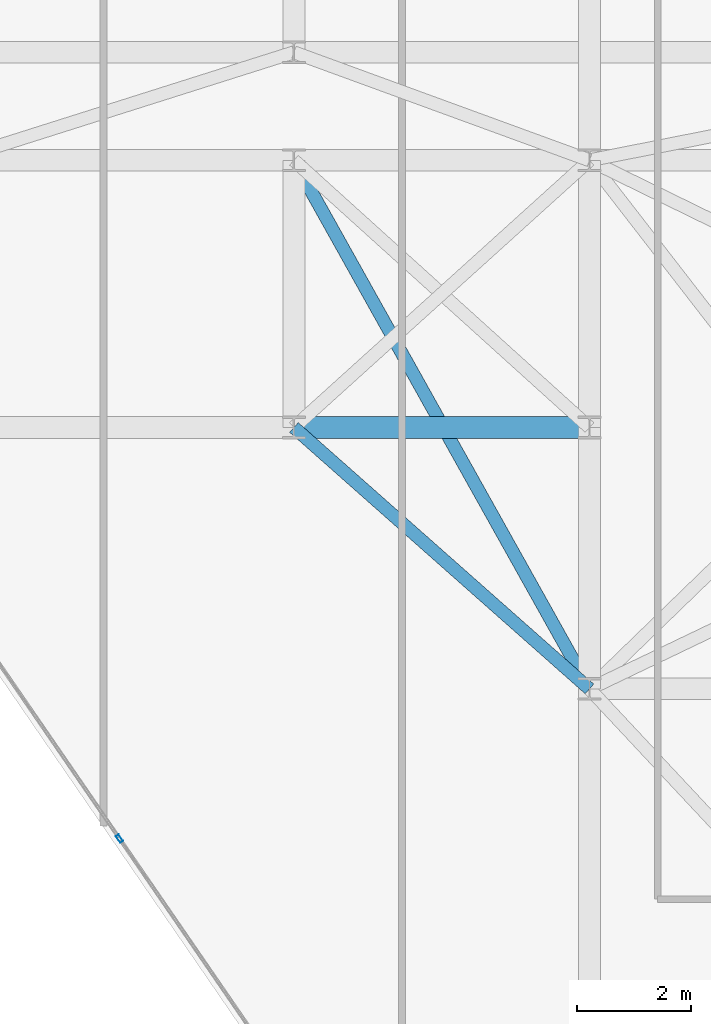
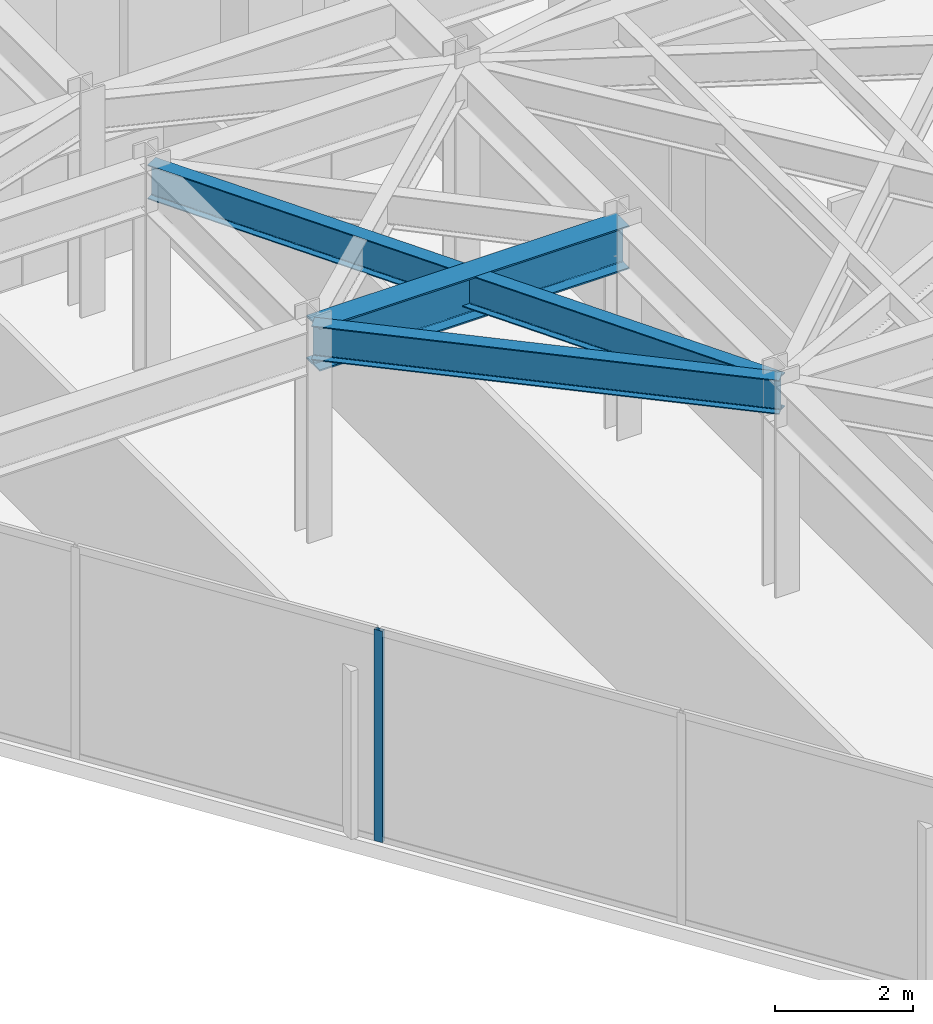
# One storey, part 12 of 21: 3 beams, 1 member, 1 element without a shape of its own.
"""IFC4 building model written with IfcOpenShell, lengths in metres."""

from ifc_helpers import new_model, si_unit, direction, frame, origin, origin_2d, place, context, subcontext, project, spatial, hollow_rectangle, i_section, extrude, material, layer, layer_set, material_profile, profile_set, type_object, element, aggregate, save


model = new_model("IFC4")

# Units and contexts
model_context = context("Model", 3, precision=1e-05, world=origin(), true_north=direction((0.0, 1.0)))
body_context = subcontext(model_context, "Body", "Model", "MODEL_VIEW")
ifc_project = project(units=[si_unit("LENGTHUNIT", "METRE"), si_unit("AREAUNIT", "SQUARE_METRE"), si_unit("VOLUMEUNIT", "CUBIC_METRE"), si_unit("PLANEANGLEUNIT", "RADIAN"), si_unit("MASSUNIT", "GRAM", prefix="KILO")], contexts=[model_context])

# Site, building, storey
site_placement = place(None, origin())
site = spatial("IfcSite", under=ifc_project, at=site_placement, CompositionType="ELEMENT")
building_placement = place(site_placement, origin())
building = spatial("IfcBuilding", under=site, at=building_placement, Name="Kravanh Interchange Tower", CompositionType="ELEMENT")
storey_placement = place(building_placement, frame((0.0, 0.0, 200.5)))
storey = spatial("IfcBuildingStorey", under=building, at=storey_placement, Name="L48", CompositionType="ELEMENT", Elevation=200.5)

# Curtain wall, member
ifc_material_1 = material(Name="Anodised Bronze Aluminium", Category="aluminium")
ifc_layer = layer(ifc_material_1, 0.179931640625)
ifc_layer_set = layer_set([ifc_layer], Name="Unitised Curtain Wall System CW-Z3 Upper Office")
curtain_wall_type = type_object("IfcCurtainWallType", Name="Unitised Curtain Wall System CW-Z3 Upper Office", PredefinedType="NOTDEFINED", material=ifc_layer_set)
curtain_wall_placement = place(storey_placement, origin())
curtain_wall = element("IfcCurtainWall", 1, at=curtain_wall_placement, inside=storey, type_object=curtain_wall_type, Name="L48 Unitised Curtain Wall CW-L48-03", PredefinedType="NOTDEFINED")
ifc_material_2 = material(Name="Anodised Bronze Aluminium", Category="aluminium")
ifc_material_profile_1 = material_profile(ifc_material_2, hollow_rectangle(XDim=0.06005859375, YDim=0.139892578125, WallThickness=0.00390625, at=origin_2d()), Name="ALU60X140X4")
ifc_profile_set_1 = profile_set([ifc_material_profile_1], Name="Anodised Bronze Aluminium")
member_type = type_object("IfcMemberType", Name="Curtain Wall Mullion ALU60X140X4 Bronze", PredefinedType="MULLION", material=ifc_profile_set_1)
member_placement = place(storey_placement, frame((47.7314453125, 19.56591796875, 0.0), z_axis=(0.0, 0.0, 1.0), x_axis=(-0.824042223035, -0.566528388217, 0.0)))
member = element("IfcMember", 2, at=member_placement, type_object=member_type, Name="CW-Z3 mullion 3", PredefinedType="MULLION", context=body_context, shape_type="SweptSolid", body=[
    extrude(hollow_rectangle(XDim=0.06005859375, YDim=0.139892578125, WallThickness=0.00390625, at=origin_2d()), origin(), (0.0, 0.0, 1.0), 3.7548828125),
])
aggregate(curtain_wall, [member])

# Beams
ifc_material_3 = material(Name="Structural Steel S355", Category="steel")
ifc_material_profile_2 = material_profile(ifc_material_3, i_section(OverallWidth=0.381103515625, OverallDepth=0.77294921875, WebThickness=0.0166015625, FlangeThickness=0.027099609375, FilletRadius=0.02490234375, at=origin_2d()), Name="W30X173")
ifc_profile_set_2 = profile_set([ifc_material_profile_2], Name="Structural Steel S355")
beam_type_1 = type_object("IfcBeamType", Name="Floor Beam W30X173 Structural Steel S355", PredefinedType="BEAM", material=ifc_profile_set_2)
beam_1_placement = place(storey_placement, frame((50.800048828125, 26.800048828125, 3.368408203125), z_axis=(1.0, 0.0, 0.0), x_axis=(0.0, 1.0, 0.0)))
element("IfcBeam", 3, at=beam_1_placement, inside=storey, type_object=beam_type_1, Name="L48 Primary Floor Girder 50", PredefinedType="BEAM", context=body_context, shape_type="SweptSolid", body=[
    extrude(i_section(OverallWidth=0.381103515625, OverallDepth=0.77294921875, WebThickness=0.0166015625, FlangeThickness=0.027099609375, FilletRadius=0.02490234375, at=origin_2d()), origin(), (0.0, 0.0, 1.0), 5.199951171875),
])
ifc_material_4 = material(Name="Structural Steel S355", Category="steel")
ifc_material_profile_3 = material_profile(ifc_material_4, i_section(OverallWidth=0.22802734375, OverallDepth=0.60791015625, WebThickness=0.01123046875, FlangeThickness=0.017333984375, FilletRadius=0.02197265625, at=origin_2d()), Name="W24X76")
ifc_profile_set_3 = profile_set([ifc_material_profile_3], Name="Structural Steel S355")
beam_type_2 = type_object("IfcBeamType", Name="Floor Spandrel W24X76 Structural Steel S355", PredefinedType="SPANDREL", material=ifc_profile_set_3)
beam_2_placement = place(storey_placement, frame((50.800048828125, 26.800048828125, 3.450927734375), z_axis=(0.74898649432, -0.662585263439, 0.0), x_axis=(0.662585263439, 0.74898649432, 0.0)))
element("IfcBeam", 4, at=beam_2_placement, inside=storey, type_object=beam_type_2, Name="L48 Perimeter Spandrel 51", PredefinedType="SPANDREL", context=body_context, shape_type="SweptSolid", body=[
    extrude(i_section(OverallWidth=0.22802734375, OverallDepth=0.60791015625, WebThickness=0.01123046875, FlangeThickness=0.017333984375, FilletRadius=0.02197265625, at=origin_2d()), origin(), (0.0, 0.0, 1.0), 6.942626953125),
])
beam_3_placement = place(storey_placement, frame((50.800048828125, 31.5, 3.450927734375), z_axis=(0.488026248114, -0.872828952975, 0.0), x_axis=(0.872828952975, 0.488026248114, 0.0)))
element("IfcBeam", 5, at=beam_3_placement, inside=storey, type_object=beam_type_2, Name="L48 Perimeter Spandrel 78", PredefinedType="SPANDREL", context=body_context, shape_type="SweptSolid", body=[
    extrude(i_section(OverallWidth=0.22802734375, OverallDepth=0.60791015625, WebThickness=0.01123046875, FlangeThickness=0.017333984375, FilletRadius=0.02197265625, at=origin_2d()), origin(), (0.0, 0.0, 1.0), 10.655029296875),
])

save(model, "model.ifc")
